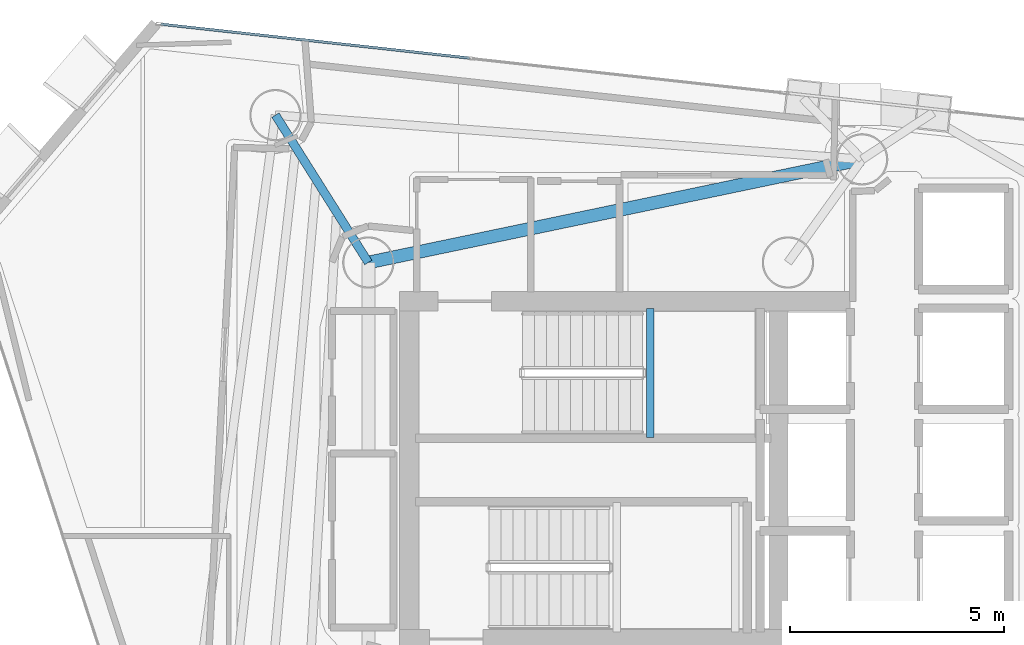
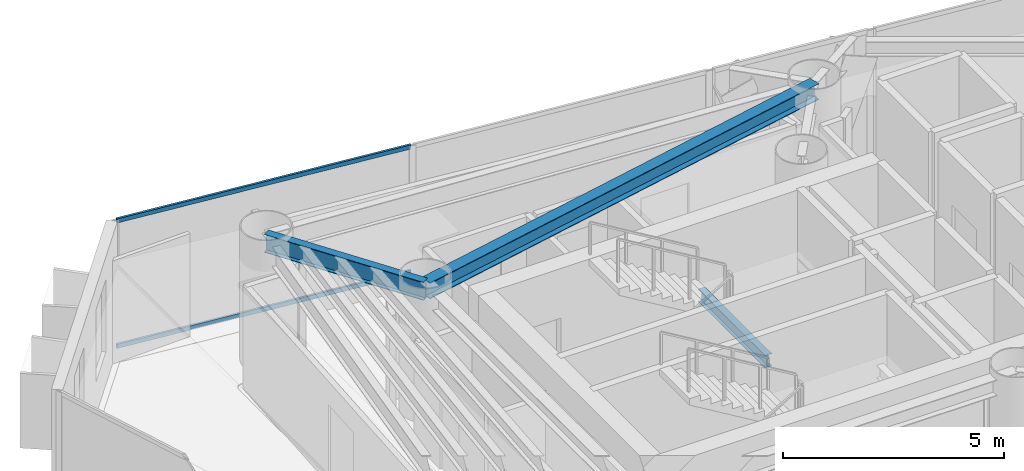
# One storey, part 11 of 24: 3 beams, 2 members, 1 element without a shape of its own.
"""IFC4 building model written with IfcOpenShell, lengths in metres."""

from ifc_helpers import new_model, si_unit, direction, frame, origin, origin_2d, place, context, subcontext, project, spatial, hollow_rectangle, i_section, extrude, material, layer, layer_set, material_profile, profile_set, type_object, element, aggregate, save


model = new_model("IFC4")

# Units and contexts
model_context = context("Model", 3, precision=1e-05, world=origin(), true_north=direction((0.0, 1.0)))
body_context = subcontext(model_context, "Body", "Model", "MODEL_VIEW")
ifc_project = project(units=[si_unit("LENGTHUNIT", "METRE"), si_unit("AREAUNIT", "SQUARE_METRE"), si_unit("VOLUMEUNIT", "CUBIC_METRE"), si_unit("PLANEANGLEUNIT", "RADIAN"), si_unit("MASSUNIT", "GRAM", prefix="KILO")], contexts=[model_context])

# Site, building, storey
site_placement = place(None, origin())
site = spatial("IfcSite", under=ifc_project, at=site_placement, CompositionType="ELEMENT")
building_placement = place(site_placement, origin())
building = spatial("IfcBuilding", under=site, at=building_placement, Name="Qianvela Tower", CompositionType="ELEMENT")
storey_placement = place(building_placement, frame((0.0, 0.0, 222.5)))
storey = spatial("IfcBuildingStorey", under=building, at=storey_placement, Name="L57", CompositionType="ELEMENT", Elevation=222.5)

# Beams
ifc_material_1 = material(Name="Steel Q355B", Category="steel")
ifc_material_profile_1 = material_profile(ifc_material_1, i_section(OverallWidth=0.300048828125, OverallDepth=0.43994140625, WebThickness=0.010986328125, FlangeThickness=0.01806640625, at=origin_2d()), Name="HM440x300x11x18")
ifc_profile_set_1 = profile_set([ifc_material_profile_1], Name="Steel Q355B")
beam_type_1 = type_object("IfcBeamType", Name="BM-HM440-COLL", PredefinedType="BEAM", material=ifc_profile_set_1)
beam_1_placement = place(storey_placement, frame((28.60009765625, 33.550048828125, 3.298095703125), z_axis=(0.978884270582, 0.204415226456, 0.0), x_axis=(-0.204415226456, 0.978884270582, 0.0)))
element("IfcBeam", 1, at=beam_1_placement, inside=storey, type_object=beam_type_1, Name="L57 Perimeter Ring Tie Girder 1B", PredefinedType="BEAM", context=body_context, shape_type="SweptSolid", body=[
    extrude(i_section(OverallWidth=0.300048828125, OverallDepth=0.43994140625, WebThickness=0.010986328125, FlangeThickness=0.01806640625, at=origin_2d()), origin(), (0.0, 0.0, 1.0), 11.77978515625),
])
ifc_material_2 = material(Name="Steel Q355B", Category="steel")
ifc_material_profile_2 = material_profile(ifc_material_2, i_section(OverallWidth=0.175048828125, OverallDepth=0.35009765625, WebThickness=0.007080078125, FlangeThickness=0.010986328125, at=origin_2d()), Name="HN350x175x7x11")
ifc_profile_set_2 = profile_set([ifc_material_profile_2], Name="Steel Q355B")
beam_type_2 = type_object("IfcBeamType", Name="BM-HN350-JOIST", PredefinedType="JOIST", material=ifc_profile_set_2)
beam_2_placement = place(storey_placement, frame((35.179931640625, 29.4599609375, 1.47509765625), z_axis=(0.0, 1.0, 0.0), x_axis=(-1.0, 0.0, 0.0)))
element("IfcBeam", 2, at=beam_2_placement, inside=storey, type_object=beam_type_2, Name="L57 Stair ST-1 Landing Support Beam 1.1", PredefinedType="JOIST", context=body_context, shape_type="SweptSolid", body=[
    extrude(i_section(OverallWidth=0.175048828125, OverallDepth=0.35009765625, WebThickness=0.007080078125, FlangeThickness=0.010986328125, at=origin_2d()), origin(), (0.0, 0.0, 1.0), 3.02001953125),
])
ifc_material_3 = material(Name="Steel Q355B", Category="steel")
ifc_material_profile_3 = material_profile(ifc_material_3, i_section(OverallWidth=0.199951171875, OverallDepth=0.5, WebThickness=0.010009765625, FlangeThickness=0.01611328125, at=origin_2d()), Name="HN500x200x10x16")
ifc_profile_set_3 = profile_set([ifc_material_profile_3], Name="Steel Q355B")
beam_type_3 = type_object("IfcBeamType", Name="BM-HN500-GIRD", PredefinedType="BEAM", material=ifc_profile_set_3)
beam_3_placement = place(storey_placement, frame((28.60009765625, 33.550048828125, 3.26806640625), z_axis=(-0.533177693809, 0.846003278258, 0.0), x_axis=(-0.846003278258, -0.533177693809, 0.0)))
element("IfcBeam", 3, at=beam_3_placement, inside=storey, type_object=beam_type_3, Name="L57 Radial Primary Floor Girder 3", PredefinedType="BEAM", context=body_context, shape_type="SweptSolid", body=[
    extrude(i_section(OverallWidth=0.199951171875, OverallDepth=0.5, WebThickness=0.010009765625, FlangeThickness=0.01611328125, at=origin_2d()), origin(), (0.0, 0.0, 1.0), 4.068359375),
])

# Curtain wall, members
ifc_material_4 = material(Name="Anodised Architectural Aluminium and Low-E Glass", Category="aluminium")
ifc_layer = layer(ifc_material_4, 0.159912109375)
ifc_layer_set = layer_set([ifc_layer], Name="Anodised Architectural Aluminium and Low-E Glass")
curtain_wall_type = type_object("IfcCurtainWallType", Name="CW-COLIV-Z56", PredefinedType="USERDEFINED", material=ifc_layer_set)
curtain_wall_placement = place(storey_placement, origin())
curtain_wall = element("IfcCurtainWall", 4, at=curtain_wall_placement, inside=storey, type_object=curtain_wall_type, Name="L57 CW-COLIV-Z56 Curtain Wall 02C", ObjectType="CURTAIN_WALL_SYSTEM", PredefinedType="USERDEFINED")
ifc_material_5 = material(Name="Anodised Architectural Aluminium 6063-T6", Category="aluminium")
ifc_material_profile_4 = material_profile(ifc_material_5, hollow_rectangle(XDim=0.06005859375, YDim=0.114990234375, WallThickness=0.00390625, at=origin_2d()), Name="ALU-TRAN-60x115")
ifc_profile_set_4 = profile_set([ifc_material_profile_4], Name="Anodised Architectural Aluminium 6063-T6")
member_type = type_object("IfcMemberType", Name="CW-COLIV-Z56-TRAN", PredefinedType="USERDEFINED", material=ifc_profile_set_4)
member_1_placement = place(storey_placement, frame((30.96484375, 38.322998046875, 0.030029296875), z_axis=(-0.994011885907, 0.109272003162, 0.0), x_axis=(-0.109272003162, -0.994011885907, 0.0)))
member_1 = element("IfcMember", 5, at=member_1_placement, type_object=member_type, Name="CW-5 transom 2.1", ObjectType="TRANSOM", PredefinedType="USERDEFINED", context=body_context, shape_type="SweptSolid", body=[
    extrude(hollow_rectangle(XDim=0.06005859375, YDim=0.114990234375, WallThickness=0.00390625, at=origin_2d()), origin(), (0.0, 0.0, 1.0), 7.2568359375),
])
member_2_placement = place(storey_placement, frame((30.96484375, 38.322998046875, 3.489990234375), z_axis=(-0.994011885907, 0.109272003162, 0.0), x_axis=(-0.109272003162, -0.994011885907, 0.0)))
member_2 = element("IfcMember", 6, at=member_2_placement, type_object=member_type, Name="CW-5 transom 2.2", ObjectType="TRANSOM", PredefinedType="USERDEFINED", context=body_context, shape_type="SweptSolid", body=[
    extrude(hollow_rectangle(XDim=0.06005859375, YDim=0.114990234375, WallThickness=0.00390625, at=origin_2d()), origin(), (0.0, 0.0, 1.0), 7.2568359375),
])
aggregate(curtain_wall, [member_1, member_2])

save(model, "model.ifc")
